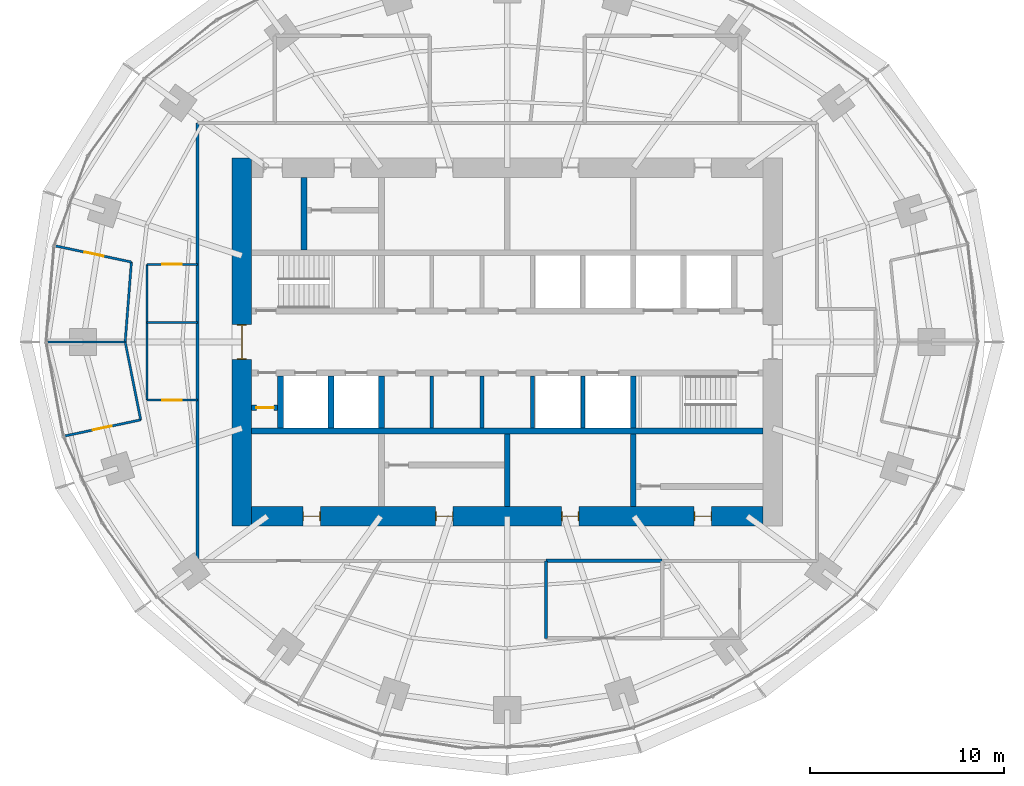
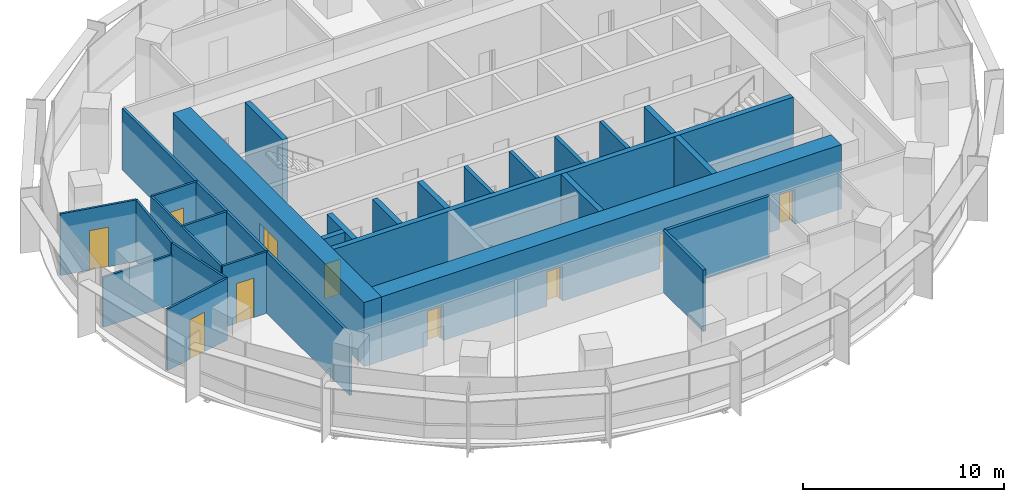
# One storey, part 10 of 14: 27 walls, 10 doors, 10 openings.
"""IFC4 building model written with IfcOpenShell, lengths in metres."""

from ifc_helpers import new_model, si_unit, direction, frame, frame_2d, origin, place, context, subcontext, project, spatial, rectangle, extrude, material, layer, layer_set, type_object, element, fill, save


model = new_model("IFC4")

# Units and contexts
model_context = context("Model", 3, precision=1e-05, world=origin(), true_north=direction((0.0, 1.0)))
body_context = subcontext(model_context, "Body", "Model", "MODEL_VIEW")
ifc_project = project(units=[si_unit("LENGTHUNIT", "METRE"), si_unit("AREAUNIT", "SQUARE_METRE"), si_unit("VOLUMEUNIT", "CUBIC_METRE"), si_unit("PLANEANGLEUNIT", "RADIAN"), si_unit("MASSUNIT", "GRAM", prefix="KILO")], contexts=[model_context])

# Site, building, storey
site_placement = place(None, origin())
site = spatial("IfcSite", under=ifc_project, at=site_placement, CompositionType="ELEMENT")
building_placement = place(site_placement, origin())
building = spatial("IfcBuilding", under=site, at=building_placement, Name="Marramba Exchange Tower", CompositionType="ELEMENT")
storey_placement = place(building_placement, frame((0.0, 0.0, 179.89990234375)))
storey = spatial("IfcBuildingStorey", under=building, at=storey_placement, Name="L43", CompositionType="ELEMENT", Elevation=179.89990234375)

# Walls
ifc_material_1 = material(Name="Plasterboard on staggered double steel studs, acoustic insulation", Category="steel")
ifc_layer_1 = layer(ifc_material_1, 0.169921875)
ifc_layer_set_1 = layer_set([ifc_layer_1], Name="Acoustic partition 170")
wall_type_1 = type_object("IfcWallType", Name="Acoustic partition 170", PredefinedType="PARTITIONING", material=ifc_layer_set_1)
wall_1_placement = place(storey_placement, frame((2.0, -11.300048828125, 0.0), z_axis=(0.0, 0.0, 1.0), x_axis=(0.0, -1.0, 0.0)))
element("IfcWall", 1, at=wall_1_placement, inside=storey, type_object=wall_type_1, Name="Acoustic partition L43 06", PredefinedType="PARTITIONING", context=body_context, shape_type="SweptSolid", body=[
    extrude(rectangle(XDim=4.0, YDim=0.169921875, at=frame_2d((2.0, 0.0))), origin(), (0.0, 0.0, 1.0), 3.739990234375),
])
wall_2_placement = place(storey_placement, frame((8.0, -11.300048828125, 0.0), z_axis=(0.0, 0.0, 1.0), x_axis=(-1.0, 0.0, 0.0)))
element("IfcWall", 2, at=wall_2_placement, inside=storey, type_object=wall_type_1, Name="Acoustic partition L43 08", PredefinedType="PARTITIONING", context=body_context, shape_type="SweptSolid", body=[
    extrude(rectangle(XDim=6.0, YDim=0.169921875, at=frame_2d((3.0, 0.0))), origin(), (0.0, 0.0, 1.0), 3.739990234375),
])
ifc_material_2 = material(Name="Concrete N50", Category="concrete")
ifc_layer_2 = layer(ifc_material_2, 0.199951171875)
ifc_layer_set_2 = layer_set([ifc_layer_2], Name="Core shaft wall 200")
wall_type_2 = type_object("IfcWallType", Name="Core shaft wall 200", PredefinedType="SHEAR", material=ifc_layer_set_2)
for number, where, z_axis, x_axis, name in (
    (3, (-3.89990234375, -1.75, 0.0), (0.0, 0.0, 1.0), (0.0, -1.0, 0.0), "Core wall SHS1 L43"),
    (4, (-1.300048828125, -1.75, 0.0), (0.0, 0.0, 1.0), (0.0, -1.0, 0.0), "Core wall SHS2 L43"),
    (5, (1.300048828125, -1.75, 0.0), (0.0, 0.0, 1.0), (0.0, -1.0, 0.0), "Core wall SHS3 L43"),
    (6, (3.89990234375, -1.75, 0.0), (0.0, 0.0, 1.0), (0.0, -1.0, 0.0), "Core wall SHS4 L43"),
):
    element("IfcWall", number, at=place(storey_placement, frame(where, z_axis=z_axis, x_axis=x_axis)), inside=storey, type_object=wall_type_2, Name=name, PredefinedType="SHEAR", context=body_context, shape_type="SweptSolid", body=[
        extrude(rectangle(XDim=2.699951171875, YDim=0.199951171875, at=frame_2d((1.35009765625, 0.0))), origin(), (0.0, 0.0, 1.0), 3.900146484375),
    ])

# Wall, openings, doors
ifc_layer_3 = layer(ifc_material_2, 1.0)
ifc_layer_set_3 = layer_set([ifc_layer_3], Name="Core wall 1000")
wall_type_3 = type_object("IfcWallType", Name="Core wall 1000", PredefinedType="SHEAR", material=ifc_layer_set_3)
wall_3_placement = place(storey_placement, frame((-13.199951171875, -9.0, 0.0), z_axis=(0.0, 0.0, 1.0), x_axis=(1.0, 0.0, 0.0)))
wall_3 = element("IfcWall", 7, at=wall_3_placement, inside=storey, type_object=wall_type_3, Name="Core wall S L43", PredefinedType="SHEAR", context=body_context, shape_type="SweptSolid", body=[
    extrude(rectangle(XDim=26.39990234375, YDim=1.0, at=frame_2d((13.199951171875, 0.0))), origin(), (0.0, 0.0, 1.0), 3.900146484375),
])
opening_1_placement = place(wall_3_placement, frame((2.64990234375, 0.0, 0.0)))
opening_1 = element("IfcOpeningElement", 8, at=opening_1_placement, cuts=wall_3, Name="Opening D5", PredefinedType="OPENING", context=body_context, shape_type="SweptSolid", body=[
    extrude(rectangle(XDim=0.89990234375, YDim=2.10009765625, at=frame_2d((0.449951171875, 1.050048828125))), frame((0.0, 0.510009765625, 0.0), z_axis=(0.0, -1.0, 0.0), x_axis=(1.0, 0.0, 0.0)), (0.0, 0.0, 1.0), 1.02001953125),
])
opening_2_placement = place(wall_3_placement, frame((9.5, 0.0, 0.0)))
opening_2 = element("IfcOpeningElement", 9, at=opening_2_placement, cuts=wall_3, Name="Opening D5", PredefinedType="OPENING", context=body_context, shape_type="SweptSolid", body=[
    extrude(rectangle(XDim=0.89990234375, YDim=2.10009765625, at=frame_2d((0.449951171875, 1.050048828125))), frame((0.0, 0.510009765625, 0.0), z_axis=(0.0, -1.0, 0.0), x_axis=(1.0, 0.0, 0.0)), (0.0, 0.0, 1.0), 1.02001953125),
])
opening_3_placement = place(wall_3_placement, frame((16.0, 0.0, 0.0)))
opening_3 = element("IfcOpeningElement", 10, at=opening_3_placement, cuts=wall_3, Name="Opening D5", PredefinedType="OPENING", context=body_context, shape_type="SweptSolid", body=[
    extrude(rectangle(XDim=0.89990234375, YDim=2.10009765625, at=frame_2d((0.449951171875, 1.050048828125))), frame((0.0, 0.510009765625, 0.0), z_axis=(0.0, -1.0, 0.0), x_axis=(1.0, 0.0, 0.0)), (0.0, 0.0, 1.0), 1.02001953125),
])
opening_4_placement = place(wall_3_placement, frame((22.85009765625, 0.0, 0.0)))
opening_4 = element("IfcOpeningElement", 11, at=opening_4_placement, cuts=wall_3, Name="Opening D5", PredefinedType="OPENING", context=body_context, shape_type="SweptSolid", body=[
    extrude(rectangle(XDim=0.89990234375, YDim=2.10009765625, at=frame_2d((0.449951171875, 1.050048828125))), frame((0.0, 0.510009765625, 0.0), z_axis=(0.0, -1.0, 0.0), x_axis=(1.0, 0.0, 0.0)), (0.0, 0.0, 1.0), 1.02001953125),
])
ifc_material_3 = material(Name="Steel-framed door", Category="steel")
door_type_1 = type_object("IfcDoorType", Name="Service door 900x2100", OperationType="SINGLE_SWING_LEFT", PredefinedType="DOOR", material=ifc_material_3)
door_1_placement = place(opening_1_placement, origin())
door_1 = element("IfcDoor", 12, at=door_1_placement, inside=storey, type_object=door_type_1, Name="D5 ahu L43", OperationType="SINGLE_SWING_LEFT", OverallHeight=2.10009765625, OverallWidth=0.89990234375, PredefinedType="DOOR", context=body_context, shape_type="SweptSolid", body=[
    extrude(rectangle(XDim=0.81982421875, YDim=2.06005859375, at=frame_2d((0.449951171875, 1.030029296875))), frame((0.0, 0.02490234375, 0.0), z_axis=(0.0, -1.0, 0.0), x_axis=(1.0, 0.0, 0.0)), (0.0, 0.0, 1.0), 0.050048828125),
    extrude(rectangle(XDim=0.04, YDim=2.10009765625, at=frame_2d((0.02001953125, 1.050048828125))), frame((0.0, 0.25, 0.0), z_axis=(0.0, -1.0, 0.0), x_axis=(1.0, 0.0, 0.0)), (0.0, 0.0, 1.0), 0.5),
    extrude(rectangle(XDim=0.04, YDim=2.10009765625, at=frame_2d((0.8798828125, 1.050048828125))), frame((0.0, 0.25, 0.0), z_axis=(0.0, -1.0, 0.0), x_axis=(1.0, 0.0, 0.0)), (0.0, 0.0, 1.0), 0.5),
    extrude(rectangle(XDim=0.81982421875, YDim=0.04, at=frame_2d((0.449951171875, 2.080078125))), frame((0.0, 0.25, 0.0), z_axis=(0.0, -1.0, 0.0), x_axis=(1.0, 0.0, 0.0)), (0.0, 0.0, 1.0), 0.5),
])
fill(opening_1, door_1)
door_2_placement = place(opening_2_placement, origin())
door_2 = element("IfcDoor", 13, at=door_2_placement, inside=storey, type_object=door_type_1, Name="D5 store L43", OperationType="SINGLE_SWING_RIGHT", OverallHeight=2.10009765625, OverallWidth=0.89990234375, PredefinedType="DOOR", context=body_context, shape_type="SweptSolid", body=[
    extrude(rectangle(XDim=0.81982421875, YDim=2.06005859375, at=frame_2d((0.449951171875, 1.030029296875))), frame((0.0, 0.02490234375, 0.0), z_axis=(0.0, -1.0, 0.0), x_axis=(1.0, 0.0, 0.0)), (0.0, 0.0, 1.0), 0.050048828125),
    extrude(rectangle(XDim=0.04, YDim=2.10009765625, at=frame_2d((0.02001953125, 1.050048828125))), frame((0.0, 0.25, 0.0), z_axis=(0.0, -1.0, 0.0), x_axis=(1.0, 0.0, 0.0)), (0.0, 0.0, 1.0), 0.5),
    extrude(rectangle(XDim=0.04, YDim=2.10009765625, at=frame_2d((0.8798828125, 1.050048828125))), frame((0.0, 0.25, 0.0), z_axis=(0.0, -1.0, 0.0), x_axis=(1.0, 0.0, 0.0)), (0.0, 0.0, 1.0), 0.5),
    extrude(rectangle(XDim=0.81982421875, YDim=0.04, at=frame_2d((0.449951171875, 2.080078125))), frame((0.0, 0.25, 0.0), z_axis=(0.0, -1.0, 0.0), x_axis=(1.0, 0.0, 0.0)), (0.0, 0.0, 1.0), 0.5),
])
fill(opening_2, door_2)
door_3_placement = place(opening_3_placement, origin())
door_3 = element("IfcDoor", 14, at=door_3_placement, inside=storey, type_object=door_type_1, Name="D5 switch L43", OperationType="SINGLE_SWING_RIGHT", OverallHeight=2.10009765625, OverallWidth=0.89990234375, PredefinedType="DOOR", context=body_context, shape_type="SweptSolid", body=[
    extrude(rectangle(XDim=0.81982421875, YDim=2.06005859375, at=frame_2d((0.449951171875, 1.030029296875))), frame((0.0, 0.02490234375, 0.0), z_axis=(0.0, -1.0, 0.0), x_axis=(1.0, 0.0, 0.0)), (0.0, 0.0, 1.0), 0.050048828125),
    extrude(rectangle(XDim=0.04, YDim=2.10009765625, at=frame_2d((0.02001953125, 1.050048828125))), frame((0.0, 0.25, 0.0), z_axis=(0.0, -1.0, 0.0), x_axis=(1.0, 0.0, 0.0)), (0.0, 0.0, 1.0), 0.5),
    extrude(rectangle(XDim=0.04, YDim=2.10009765625, at=frame_2d((0.8798828125, 1.050048828125))), frame((0.0, 0.25, 0.0), z_axis=(0.0, -1.0, 0.0), x_axis=(1.0, 0.0, 0.0)), (0.0, 0.0, 1.0), 0.5),
    extrude(rectangle(XDim=0.81982421875, YDim=0.04, at=frame_2d((0.449951171875, 2.080078125))), frame((0.0, 0.25, 0.0), z_axis=(0.0, -1.0, 0.0), x_axis=(1.0, 0.0, 0.0)), (0.0, 0.0, 1.0), 0.5),
])
fill(opening_3, door_3)
door_4_placement = place(opening_4_placement, origin())
door_4 = element("IfcDoor", 15, at=door_4_placement, inside=storey, type_object=door_type_1, Name="D5 cstore L43", OperationType="SINGLE_SWING_RIGHT", OverallHeight=2.10009765625, OverallWidth=0.89990234375, PredefinedType="DOOR", context=body_context, shape_type="SweptSolid", body=[
    extrude(rectangle(XDim=0.81982421875, YDim=2.06005859375, at=frame_2d((0.449951171875, 1.030029296875))), frame((0.0, 0.02490234375, 0.0), z_axis=(0.0, -1.0, 0.0), x_axis=(1.0, 0.0, 0.0)), (0.0, 0.0, 1.0), 0.050048828125),
    extrude(rectangle(XDim=0.04, YDim=2.10009765625, at=frame_2d((0.02001953125, 1.050048828125))), frame((0.0, 0.25, 0.0), z_axis=(0.0, -1.0, 0.0), x_axis=(1.0, 0.0, 0.0)), (0.0, 0.0, 1.0), 0.5),
    extrude(rectangle(XDim=0.04, YDim=2.10009765625, at=frame_2d((0.8798828125, 1.050048828125))), frame((0.0, 0.25, 0.0), z_axis=(0.0, -1.0, 0.0), x_axis=(1.0, 0.0, 0.0)), (0.0, 0.0, 1.0), 0.5),
    extrude(rectangle(XDim=0.81982421875, YDim=0.04, at=frame_2d((0.449951171875, 2.080078125))), frame((0.0, 0.25, 0.0), z_axis=(0.0, -1.0, 0.0), x_axis=(1.0, 0.0, 0.0)), (0.0, 0.0, 1.0), 0.5),
])
fill(opening_4, door_4)

# Wall, opening, door
wall_4_placement = place(storey_placement, frame((-13.699951171875, 9.5, 0.0), z_axis=(0.0, 0.0, 1.0), x_axis=(0.0, -1.0, 0.0)))
wall_4 = element("IfcWall", 16, at=wall_4_placement, inside=storey, type_object=wall_type_3, Name="Core wall W L43", PredefinedType="SHEAR", context=body_context, shape_type="SweptSolid", body=[
    extrude(rectangle(XDim=19.0, YDim=1.0, at=frame_2d((9.5, 0.0))), origin(), (0.0, 0.0, 1.0), 3.900146484375),
])
opening_5_placement = place(wall_4_placement, frame((8.60009765625, 0.0, 0.0)))
opening_5 = element("IfcOpeningElement", 17, at=opening_5_placement, cuts=wall_4, Name="Opening D1", PredefinedType="OPENING", context=body_context, shape_type="SweptSolid", body=[
    extrude(rectangle(XDim=1.800048828125, YDim=2.39990234375, at=frame_2d((0.89990234375, 1.199951171875))), frame((0.0, 0.510009765625, 0.0), z_axis=(0.0, -1.0, 0.0), x_axis=(1.0, 0.0, 0.0)), (0.0, 0.0, 1.0), 1.02001953125),
])
door_type_2 = type_object("IfcDoorType", Name="Lobby exit door 1800x2400", OperationType="DOUBLE_DOOR_SINGLE_SWING", PredefinedType="DOOR", material=ifc_material_3)
door_5_placement = place(opening_5_placement, origin())
door_5 = element("IfcDoor", 18, at=door_5_placement, inside=storey, type_object=door_type_2, Name="D1 lobby exit west L43", OperationType="DOUBLE_DOOR_SINGLE_SWING", OverallHeight=2.39990234375, OverallWidth=1.800048828125, PredefinedType="DOOR", context=body_context, shape_type="SweptSolid", body=[
    extrude(rectangle(XDim=1.719970703125, YDim=2.35986328125, at=frame_2d((0.89990234375, 1.179931640625))), frame((0.0, 0.02490234375, 0.0), z_axis=(0.0, -1.0, 0.0), x_axis=(1.0, 0.0, 0.0)), (0.0, 0.0, 1.0), 0.050048828125),
    extrude(rectangle(XDim=0.04, YDim=2.39990234375, at=frame_2d((0.02001953125, 1.199951171875))), frame((0.0, 0.25, 0.0), z_axis=(0.0, -1.0, 0.0), x_axis=(1.0, 0.0, 0.0)), (0.0, 0.0, 1.0), 0.5),
    extrude(rectangle(XDim=0.04, YDim=2.39990234375, at=frame_2d((1.780029296875, 1.199951171875))), frame((0.0, 0.25, 0.0), z_axis=(0.0, -1.0, 0.0), x_axis=(1.0, 0.0, 0.0)), (0.0, 0.0, 1.0), 0.5),
    extrude(rectangle(XDim=1.719970703125, YDim=0.04, at=frame_2d((0.89990234375, 2.3798828125))), frame((0.0, 0.25, 0.0), z_axis=(0.0, -1.0, 0.0), x_axis=(1.0, 0.0, 0.0)), (0.0, 0.0, 1.0), 0.5),
])
fill(opening_5, door_5)

# Walls
ifc_layer_4 = layer(ifc_material_2, 0.300048828125)
ifc_layer_set_4 = layer_set([ifc_layer_4], Name="Core wall 300")
wall_type_4 = type_object("IfcWallType", Name="Core wall 300", PredefinedType="SHEAR", material=ifc_layer_set_4)
wall_5_placement = place(storey_placement, frame((-13.199951171875, -4.60009765625, 0.0), z_axis=(0.0, 0.0, 1.0), x_axis=(1.0, 0.0, 0.0)))
element("IfcWall", 19, at=wall_5_placement, inside=storey, type_object=wall_type_4, Name="Core wall BS L43", PredefinedType="SHEAR", context=body_context, shape_type="SweptSolid", body=[
    extrude(rectangle(XDim=26.39990234375, YDim=0.300048828125, at=frame_2d((13.199951171875, 0.0))), origin(), (0.0, 0.0, 1.0), 3.900146484375),
])
for number, where, z_axis, x_axis, name in (
    (20, (-6.5, -1.75, 0.0), (0.0, 0.0, 1.0), (0.0, -1.0, 0.0), "Core wall X0Sa L43"),
    (21, (6.5, -1.75, 0.0), (0.0, 0.0, 1.0), (0.0, -1.0, 0.0), "Core wall X1Sa L43"),
):
    element("IfcWall", number, at=place(storey_placement, frame(where, z_axis=z_axis, x_axis=x_axis)), inside=storey, type_object=wall_type_4, Name=name, PredefinedType="SHEAR", context=body_context, shape_type="SweptSolid", body=[
        extrude(rectangle(XDim=2.699951171875, YDim=0.300048828125, at=frame_2d((1.35009765625, 0.0))), origin(), (0.0, 0.0, 1.0), 3.900146484375),
    ])
for number, where, z_axis, x_axis, name in (
    (22, (6.5, -4.75, 0.0), (0.0, 0.0, 1.0), (0.0, -1.0, 0.0), "Core wall X1Sb L43"),
    (23, (0.0, -4.75, 0.0), (0.0, 0.0, 1.0), (0.0, -1.0, 0.0), "Core wall MS L43"),
    (24, (-10.5, 4.75, 0.0), (0.0, 0.0, 1.0), (0.0, 1.0, 0.0), "Core wall WD L43"),
):
    element("IfcWall", number, at=place(storey_placement, frame(where, z_axis=z_axis, x_axis=x_axis)), inside=storey, type_object=wall_type_4, Name=name, PredefinedType="SHEAR", context=body_context, shape_type="SweptSolid", body=[
        extrude(rectangle(XDim=3.75, YDim=0.300048828125, at=frame_2d((1.875, 0.0))), origin(), (0.0, 0.0, 1.0), 3.900146484375),
    ])
ifc_material_4 = material(Name="Core-filled concrete blockwork", Category="masonry")
ifc_layer_5 = layer(ifc_material_4, 0.300048828125)
ifc_layer_set_5 = layer_set([ifc_layer_5], Name="Lift shaft wall 300")
wall_type_5 = type_object("IfcWallType", Name="Lift shaft wall 300", PredefinedType="SOLIDWALL", material=ifc_layer_set_5)
for number, where, z_axis, x_axis, name in (
    (25, (-9.10009765625, -1.75, 0.0), (0.0, 0.0, 1.0), (0.0, -1.0, 0.0), "Lift shaft wall W1 L43"),
    (26, (-11.699951171875, -1.75, 0.0), (0.0, 0.0, 1.0), (0.0, -1.0, 0.0), "Lift shaft wall W2 L43"),
):
    element("IfcWall", number, at=place(storey_placement, frame(where, z_axis=z_axis, x_axis=x_axis)), inside=storey, type_object=wall_type_5, Name=name, PredefinedType="SOLIDWALL", context=body_context, shape_type="SweptSolid", body=[
        extrude(rectangle(XDim=2.699951171875, YDim=0.300048828125, at=frame_2d((1.35009765625, 0.0))), origin(), (0.0, 0.0, 1.0), 3.739990234375),
    ])
ifc_material_5 = material(Name="Plasterboard on steel studs", Category="steel")
ifc_layer_6 = layer(ifc_material_5, 0.1201171875)
ifc_layer_set_6 = layer_set([ifc_layer_6], Name="Partition 120")
wall_type_6 = type_object("IfcWallType", Name="Partition 120", PredefinedType="PARTITIONING", material=ifc_layer_set_6)
wall_6_placement = place(storey_placement, frame((-18.92236328125, -4.022216796875, 0.0), z_axis=(0.0, 0.0, 1.0), x_axis=(-0.195944435797, 0.980614999926, 0.0)))
element("IfcWall", 27, at=wall_6_placement, inside=storey, type_object=wall_type_6, Name="Partition L43 01", PredefinedType="PARTITIONING", context=body_context, shape_type="SweptSolid", body=[
    extrude(rectangle(XDim=4.101806640625, YDim=0.1201171875, at=frame_2d((2.05078125, 0.0))), origin(), (0.0, 0.0, 1.0), 3.739990234375),
])

# Wall, opening, door
wall_7_placement = place(storey_placement, frame((-18.60009765625, -3.0, 0.0), z_axis=(0.0, 0.0, 1.0), x_axis=(1.0, 0.0, 0.0)))
wall_7 = element("IfcWall", 28, at=wall_7_placement, inside=storey, type_object=wall_type_6, Name="Partition L43 02", PredefinedType="PARTITIONING", context=body_context, shape_type="SweptSolid", body=[
    extrude(rectangle(XDim=2.60009765625, YDim=0.1201171875, at=frame_2d((1.300048828125, 0.0))), origin(), (0.0, 0.0, 1.0), 3.739990234375),
])
opening_6_placement = place(wall_7_placement, frame((0.800048828125, 0.0, 0.0)))
opening_6 = element("IfcOpeningElement", 29, at=opening_6_placement, cuts=wall_7, Name="Opening D9", PredefinedType="OPENING", context=body_context, shape_type="SweptSolid", body=[
    extrude(rectangle(XDim=1.0, YDim=2.39990234375, at=frame_2d((0.5, 1.199951171875))), frame((0.0, 0.070068359375, 0.0), z_axis=(0.0, -1.0, 0.0), x_axis=(1.0, 0.0, 0.0)), (0.0, 0.0, 1.0), 0.14013671875),
])
ifc_material_6 = material(Name="Timber door", Category="wood")
door_type_3 = type_object("IfcDoorType", Name="Room door 1000x2400", OperationType="SINGLE_SWING_LEFT", PredefinedType="DOOR", material=ifc_material_6)
door_6_placement = place(opening_6_placement, origin())
door_6 = element("IfcDoor", 30, at=door_6_placement, inside=storey, type_object=door_type_3, Name="D9 Pantry 2 L43", OperationType="SINGLE_SWING_RIGHT", OverallHeight=2.39990234375, OverallWidth=1.0, PredefinedType="DOOR", context=body_context, shape_type="SweptSolid", body=[
    extrude(rectangle(XDim=1.0, YDim=2.39990234375, at=frame_2d((0.5, 1.199951171875))), frame((0.0, 0.02490234375, 0.0), z_axis=(0.0, -1.0, 0.0), x_axis=(1.0, 0.0, 0.0)), (0.0, 0.0, 1.0), 0.050048828125),
])
fill(opening_6, door_6)

wall_8_placement = place(storey_placement, frame((-22.8349609375, -4.853759765625, 0.0), z_axis=(0.0, 0.0, 1.0), x_axis=(0.978152955943, 0.207886494942, 0.0)))
wall_8 = element("IfcWall", 31, at=wall_8_placement, inside=storey, type_object=wall_type_6, Name="Partition L43 03", PredefinedType="PARTITIONING", context=body_context, shape_type="SweptSolid", body=[
    extrude(rectangle(XDim=4.0, YDim=0.1201171875, at=frame_2d((2.0, 0.0))), origin(), (0.0, 0.0, 1.0), 3.739990234375),
])
opening_7_placement = place(wall_8_placement, frame((1.47412109375, 0.0, 0.0)))
opening_7 = element("IfcOpeningElement", 32, at=opening_7_placement, cuts=wall_8, Name="Opening D9", PredefinedType="OPENING", context=body_context, shape_type="SweptSolid", body=[
    extrude(rectangle(XDim=1.0, YDim=2.39990234375, at=frame_2d((0.5, 1.199951171875))), frame((0.0, 0.070068359375, 0.0), z_axis=(0.0, -1.0, 0.0), x_axis=(1.0, 0.0, 0.0)), (0.0, 0.0, 1.0), 0.14013671875),
])
door_7_placement = place(opening_7_placement, origin())
door_7 = element("IfcDoor", 33, at=door_7_placement, inside=storey, type_object=door_type_3, Name="D9 Office 4 L43", OperationType="SINGLE_SWING_RIGHT", OverallHeight=2.39990234375, OverallWidth=1.0, PredefinedType="DOOR", context=body_context, shape_type="SweptSolid", body=[
    extrude(rectangle(XDim=1.0, YDim=2.39990234375, at=frame_2d((0.5, 1.199951171875))), frame((0.0, 0.02490234375, 0.0), z_axis=(0.0, -1.0, 0.0), x_axis=(1.0, 0.0, 0.0)), (0.0, 0.0, 1.0), 0.050048828125),
])
fill(opening_7, door_7)

wall_9_placement = place(storey_placement, frame((-16.0, 4.0, 0.0), z_axis=(0.0, 0.0, 1.0), x_axis=(-1.0, 0.0, 0.0)))
wall_9 = element("IfcWall", 34, at=wall_9_placement, inside=storey, type_object=wall_type_6, Name="Partition L43 35", PredefinedType="PARTITIONING", context=body_context, shape_type="SweptSolid", body=[
    extrude(rectangle(XDim=2.60009765625, YDim=0.1201171875, at=frame_2d((1.300048828125, 0.0))), origin(), (0.0, 0.0, 1.0), 3.739990234375),
])
opening_8_placement = place(wall_9_placement, frame((0.800048828125, 0.0, 0.0)))
opening_8 = element("IfcOpeningElement", 35, at=opening_8_placement, cuts=wall_9, Name="Opening D9", PredefinedType="OPENING", context=body_context, shape_type="SweptSolid", body=[
    extrude(rectangle(XDim=1.0, YDim=2.39990234375, at=frame_2d((0.5, 1.199951171875))), frame((0.0, 0.070068359375, 0.0), z_axis=(0.0, -1.0, 0.0), x_axis=(1.0, 0.0, 0.0)), (0.0, 0.0, 1.0), 0.14013671875),
])
door_8_placement = place(opening_8_placement, origin())
door_8 = element("IfcDoor", 36, at=door_8_placement, inside=storey, type_object=door_type_3, Name="D9 Print Room L43", OperationType="SINGLE_SWING_RIGHT", OverallHeight=2.39990234375, OverallWidth=1.0, PredefinedType="DOOR", context=body_context, shape_type="SweptSolid", body=[
    extrude(rectangle(XDim=1.0, YDim=2.39990234375, at=frame_2d((0.5, 1.199951171875))), frame((0.0, 0.02490234375, 0.0), z_axis=(0.0, -1.0, 0.0), x_axis=(1.0, 0.0, 0.0)), (0.0, 0.0, 1.0), 0.050048828125),
])
fill(opening_8, door_8)

wall_10_placement = place(storey_placement, frame((-19.404541015625, 4.12451171875, 0.0), z_axis=(0.0, 0.0, 1.0), x_axis=(-0.978140543132, 0.207944891454, 0.0)))
wall_10 = element("IfcWall", 37, at=wall_10_placement, inside=storey, type_object=wall_type_6, Name="Partition L43 36", PredefinedType="PARTITIONING", context=body_context, shape_type="SweptSolid", body=[
    extrude(rectangle(XDim=4.0, YDim=0.1201171875, at=frame_2d((2.0, 0.0))), origin(), (0.0, 0.0, 1.0), 3.739990234375),
])
opening_9_placement = place(wall_10_placement, frame((1.47412109375, 0.0, 0.0)))
opening_9 = element("IfcOpeningElement", 38, at=opening_9_placement, cuts=wall_10, Name="Opening D9", PredefinedType="OPENING", context=body_context, shape_type="SweptSolid", body=[
    extrude(rectangle(XDim=1.0, YDim=2.39990234375, at=frame_2d((0.5, 1.199951171875))), frame((0.0, 0.070068359375, 0.0), z_axis=(0.0, -1.0, 0.0), x_axis=(1.0, 0.0, 0.0)), (0.0, 0.0, 1.0), 0.14013671875),
])
door_9_placement = place(opening_9_placement, origin())
door_9 = element("IfcDoor", 39, at=door_9_placement, inside=storey, type_object=door_type_3, Name="D9 Office 3 L43", OperationType="SINGLE_SWING_RIGHT", OverallHeight=2.39990234375, OverallWidth=1.0, PredefinedType="DOOR", context=body_context, shape_type="SweptSolid", body=[
    extrude(rectangle(XDim=1.0, YDim=2.39990234375, at=frame_2d((0.5, 1.199951171875))), frame((0.0, 0.02490234375, 0.0), z_axis=(0.0, -1.0, 0.0), x_axis=(1.0, 0.0, 0.0)), (0.0, 0.0, 1.0), 0.050048828125),
])
fill(opening_9, door_9)

# Walls
wall_11_placement = place(storey_placement, frame((-19.72607421875, 0.0, 0.0), z_axis=(0.0, 0.0, 1.0), x_axis=(0.077720864456, 0.996975158782, 0.0)))
element("IfcWall", 40, at=wall_11_placement, inside=storey, type_object=wall_type_6, Name="Partition L43 37", PredefinedType="PARTITIONING", context=body_context, shape_type="SweptSolid", body=[
    extrude(rectangle(XDim=4.136962890625, YDim=0.1201171875, at=frame_2d((2.068359375, 0.0))), origin(), (0.0, 0.0, 1.0), 3.739990234375),
])
wall_12_placement = place(storey_placement, frame((-18.60009765625, 1.0, 0.0), z_axis=(0.0, 0.0, 1.0), x_axis=(1.0, 0.0, 0.0)))
element("IfcWall", 41, at=wall_12_placement, inside=storey, type_object=wall_type_6, Name="Partition L43 38", PredefinedType="PARTITIONING", context=body_context, shape_type="SweptSolid", body=[
    extrude(rectangle(XDim=2.60009765625, YDim=0.1201171875, at=frame_2d((1.300048828125, 0.0))), origin(), (0.0, 0.0, 1.0), 3.739990234375),
])
wall_13_placement = place(storey_placement, frame((-18.60009765625, 4.0, 0.0), z_axis=(0.0, 0.0, 1.0), x_axis=(0.0, -1.0, 0.0)))
element("IfcWall", 42, at=wall_13_placement, inside=storey, type_object=wall_type_6, Name="Partition L43 39", PredefinedType="PARTITIONING", context=body_context, shape_type="SweptSolid", body=[
    extrude(rectangle(XDim=7.0, YDim=0.1201171875, at=frame_2d((3.5, 0.0))), origin(), (0.0, 0.0, 1.0), 3.739990234375),
])
wall_14_placement = place(storey_placement, frame((-19.72607421875, 0.0, 0.0), z_axis=(0.0, 0.0, 1.0), x_axis=(-1.0, 0.0, 0.0)))
element("IfcWall", 43, at=wall_14_placement, inside=storey, type_object=wall_type_6, Name="Partition L43 40", PredefinedType="PARTITIONING", context=body_context, shape_type="SweptSolid", body=[
    extrude(rectangle(XDim=4.0, YDim=0.1201171875, at=frame_2d((2.0, 0.0))), origin(), (0.0, 0.0, 1.0), 3.0400390625),
])

# Wall, opening, door
ifc_layer_7 = layer(ifc_material_4, 0.300048828125)
ifc_layer_set_7 = layer_set([ifc_layer_7], Name="Riser enclosure wall 300")
wall_type_7 = type_object("IfcWallType", Name="Riser enclosure wall 300", PredefinedType="SOLIDWALL", material=ifc_layer_set_7)
wall_15_placement = place(storey_placement, frame((-13.199951171875, -3.39990234375, 0.0), z_axis=(0.0, 0.0, 1.0), x_axis=(1.0, 0.0, 0.0)))
wall_15 = element("IfcWall", 44, at=wall_15_placement, inside=storey, type_object=wall_type_7, Name="Riser enclosure wall L43", PredefinedType="SOLIDWALL", context=body_context, shape_type="SweptSolid", body=[
    extrude(rectangle(XDim=1.349853515625, YDim=0.300048828125, at=frame_2d((0.6748046875, 0.0))), origin(), (0.0, 0.0, 1.0), 3.739990234375),
])
opening_10_placement = place(wall_15_placement, frame((0.25, 0.0, 0.0)))
opening_10 = element("IfcOpeningElement", 45, at=opening_10_placement, cuts=wall_15, Name="Opening D5", PredefinedType="OPENING", context=body_context, shape_type="SweptSolid", body=[
    extrude(rectangle(XDim=0.89990234375, YDim=2.10009765625, at=frame_2d((0.449951171875, 1.050048828125))), frame((0.0, 0.159912109375, 0.0), z_axis=(0.0, -1.0, 0.0), x_axis=(1.0, 0.0, 0.0)), (0.0, 0.0, 1.0), 0.320068359375),
])
door_10_placement = place(opening_10_placement, frame((0.89990234375, 0.0, 0.0), z_axis=(0.0, 0.0, 1.0), x_axis=(-1.0, 0.0, 0.0)))
door_10 = element("IfcDoor", 46, at=door_10_placement, inside=storey, type_object=door_type_1, Name="D5 electrical riser back L43", OperationType="SINGLE_SWING_LEFT", OverallHeight=2.10009765625, OverallWidth=0.89990234375, PredefinedType="DOOR", context=body_context, shape_type="SweptSolid", body=[
    extrude(rectangle(XDim=0.89990234375, YDim=2.10009765625, at=frame_2d((0.449951171875, 1.050048828125))), frame((0.0, 0.025146484375, 0.0), z_axis=(0.0, -1.0, 0.0), x_axis=(1.0, 0.0, 0.0)), (0.0, 0.0, 1.0), 0.050048828125),
])
fill(opening_10, door_10)

# Wall
ifc_material_7 = material(Name="Fire-rated plasterboard on steel studs, acoustic insulation", Category="steel")
ifc_layer_8 = layer(ifc_material_7, 0.14990234375)
ifc_layer_set_8 = layer_set([ifc_layer_8], Name="Tenancy wall 150")
wall_type_8 = type_object("IfcWallType", Name="Tenancy wall 150", PredefinedType="PARTITIONING", material=ifc_layer_set_8)
wall_16_placement = place(storey_placement, frame((-16.0, 11.300048828125, 0.0), z_axis=(0.0, 0.0, 1.0), x_axis=(0.0, -1.0, 0.0)))
element("IfcWall", 47, at=wall_16_placement, inside=storey, type_object=wall_type_8, Name="Tenancy wall L43 41", PredefinedType="PARTITIONING", context=body_context, shape_type="SweptSolid", body=[
    extrude(rectangle(XDim=22.60009765625, YDim=0.14990234375, at=frame_2d((11.300048828125, 0.0))), origin(), (0.0, 0.0, 1.0), 3.739990234375),
])

save(model, "model.ifc")
